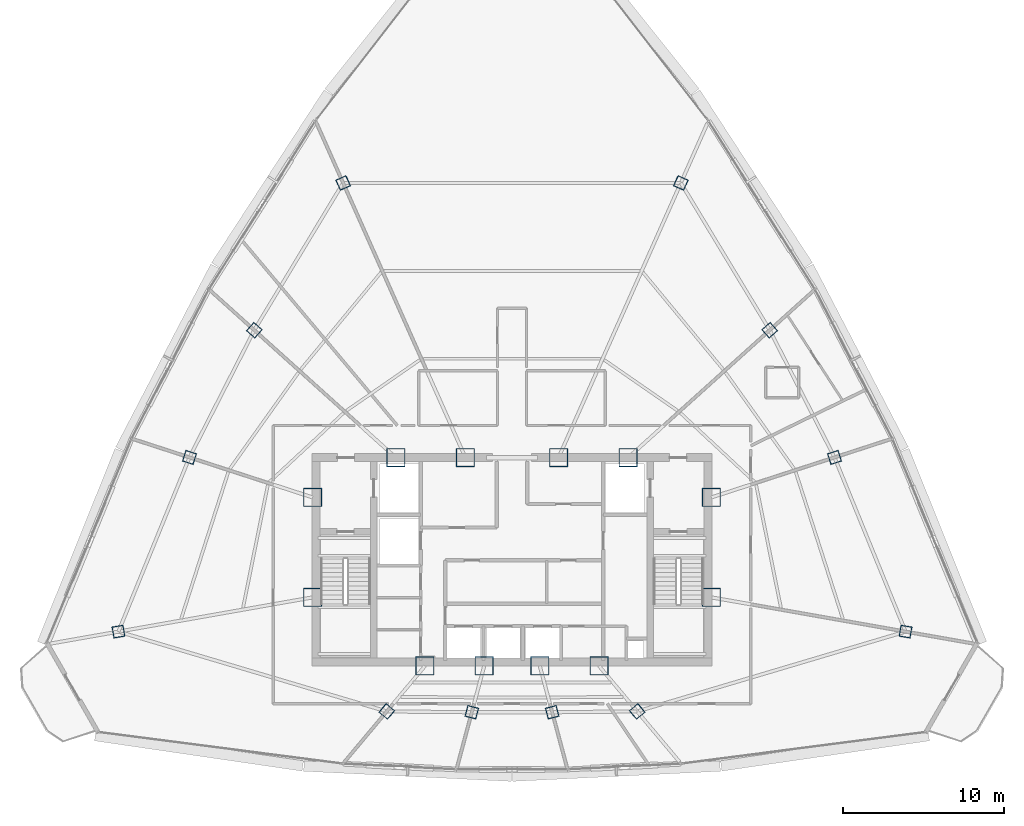
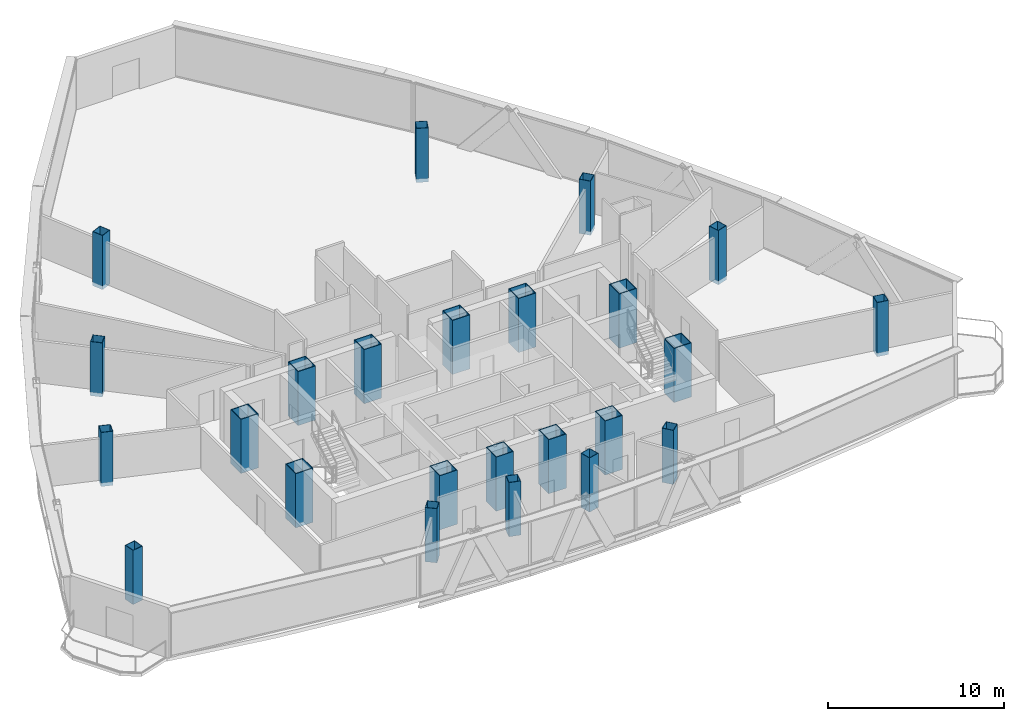
# One storey, part 1 of 33: 24 columns.
"""IFC4 building model written with IfcOpenShell, lengths in metres."""

from ifc_helpers import new_model, si_unit, direction, frame, origin, origin_2d, place, context, subcontext, project, spatial, hollow_rectangle, extrude, source, transform, mapped, material, material_profile, profile_set, type_object, element, save


model = new_model("IFC4")

# Units and contexts
model_context = context("Model", 3, precision=1e-05, world=origin(), true_north=direction((0.0, 1.0)))
body_context = subcontext(model_context, "Body", "Model", "MODEL_VIEW")
ifc_project = project(units=[si_unit("LENGTHUNIT", "METRE"), si_unit("AREAUNIT", "SQUARE_METRE"), si_unit("VOLUMEUNIT", "CUBIC_METRE"), si_unit("PLANEANGLEUNIT", "RADIAN"), si_unit("MASSUNIT", "GRAM", prefix="KILO"), si_unit("THERMODYNAMICTEMPERATUREUNIT", "KELVIN"), si_unit("POWERUNIT", "WATT")], contexts=[model_context])

# Site, building, storey
site_placement = place(None, origin())
site = spatial("IfcSite", under=ifc_project, at=site_placement, CompositionType="ELEMENT")
building_placement = place(site_placement, origin())
building = spatial("IfcBuilding", under=site, at=building_placement, Name="Yunzhuo Pagoda Commons", CompositionType="ELEMENT")
storey_placement = place(building_placement, frame((0.0, 0.0, 325.510009765625)))
storey = spatial("IfcBuildingStorey", under=building, at=storey_placement, Name="L81", CompositionType="ELEMENT", Elevation=325.510009765625)

# Columns
ifc_material_1 = material(Name="Structural steel Q420B", Category="steel")
ifc_material_profile_1 = material_profile(ifc_material_1, hollow_rectangle(XDim=1.14990234375, YDim=1.14990234375, WallThickness=0.048095703125, at=origin_2d()), Name="Structural steel Q420B")
ifc_profile_set_1 = profile_set([ifc_material_profile_1], Name="Structural steel Q420B")
column_type_1 = type_object("IfcColumnType", Name="C-COR Column BOX 1150x1150x48", PredefinedType="COLUMN", material=ifc_profile_set_1)
shared_shape_1 = source(origin(), body_context, "Body", "SweptSolid", [
    extrude(hollow_rectangle(XDim=1.14990234375, YDim=1.14990234375, WallThickness=0.048095703125, at=origin_2d()), origin(), (0.0, 0.0, 1.0), 3.75),
])
for number, where, z_axis, x_axis, name in (
    (1, (42.587890625, 27.25, -0.260009765625), (0.0, 0.0, 1.0), (1.0, 0.0, 0.0), "L81 core composite column F1C1"),
    (2, (46.27197265625, 27.25, -0.260009765625), (0.0, 0.0, 1.0), (1.0, 0.0, 0.0), "L81 core composite column F1C2"),
    (3, (49.728515625, 27.25, -0.260009765625), (0.0, 0.0, 1.0), (1.0, 0.0, 0.0), "L81 core composite column F1C3"),
    (4, (53.412109375, 27.25, -0.260009765625), (0.0, 0.0, 1.0), (1.0, 0.0, 0.0), "L81 core composite column F1C4"),
    (5, (60.39990234375, 31.513427734375, -0.260009765625), (0.0, 0.0, 1.0), (1.0, 0.0, 0.0), "L81 core composite column F2C1"),
    (6, (60.39990234375, 37.72900390625, -0.260009765625), (0.0, 0.0, 1.0), (1.0, 0.0, 0.0), "L81 core composite column F2C2"),
    (7, (55.218994140625, 40.199951171875, -0.260009765625), (0.0, 0.0, 1.0), (1.0, 0.0, 0.0), "L81 core composite column F2C3"),
    (8, (50.89404296875, 40.199951171875, -0.260009765625), (0.0, 0.0, 1.0), (1.0, 0.0, 0.0), "L81 core composite column F2C4"),
    (9, (45.10595703125, 40.199951171875, -0.260009765625), (0.0, 0.0, 1.0), (1.0, 0.0, 0.0), "L81 core composite column F3C1"),
    (10, (40.781005859375, 40.199951171875, -0.260009765625), (0.0, 0.0, 1.0), (1.0, 0.0, 0.0), "L81 core composite column F3C2"),
    (11, (35.60009765625, 37.72900390625, -0.260009765625), (0.0, 0.0, 1.0), (1.0, 0.0, 0.0), "L81 core composite column F3C3"),
    (12, (35.60009765625, 31.513427734375, -0.260009765625), (0.0, 0.0, 1.0), (1.0, 0.0, 0.0), "L81 core composite column F3C4"),
):
    element("IfcColumn", number, at=place(storey_placement, frame(where, z_axis=z_axis, x_axis=x_axis)), inside=storey, type_object=column_type_1, Name=name, PredefinedType="COLUMN", context=body_context, shape_type="MappedRepresentation", body=[
        mapped(shared_shape_1, transform((0.0, 0.0, 0.0), scale=1.0)),
    ])
ifc_material_2 = material(Name="Structural steel Q355B", Category="steel")
ifc_material_profile_2 = material_profile(ifc_material_2, hollow_rectangle(XDim=0.699951171875, YDim=0.699951171875, WallThickness=0.02587890625, at=origin_2d()), Name="Structural steel Q355B")
ifc_profile_set_2 = profile_set([ifc_material_profile_2], Name="Structural steel Q355B")
column_type_2 = type_object("IfcColumnType", Name="C-Z7 Column BOX 700x700x26", PredefinedType="COLUMN", material=ifc_profile_set_2)
shared_shape_2 = source(origin(), body_context, "Body", "SweptSolid", [
    extrude(hollow_rectangle(XDim=0.699951171875, YDim=0.699951171875, WallThickness=0.02587890625, at=origin_2d()), origin(), (0.0, 0.0, 1.0), 3.75),
])
for number, where, z_axis, x_axis, name in (
    (13, (40.214599609375, 24.421630859375, -0.260009765625), (0.0, 0.0, 1.0), (0.766044443119, -0.642787609687, 0.0), "L81 tower column F1C1"),
    (14, (45.500732421875, 24.372802734375, -0.260009765625), (0.0, 0.0, 1.0), (0.965925826289, -0.258819045103, 0.0), "L81 tower column F1C2"),
    (15, (50.499267578125, 24.372802734375, -0.260009765625), (0.0, 0.0, 1.0), (0.965925826289, 0.258819045103, 0.0), "L81 tower column F1C3"),
    (16, (55.785400390625, 24.421630859375, -0.260009765625), (0.0, 0.0, 1.0), (0.766044443119, 0.642787609687, 0.0), "L81 tower column F1C4"),
    (17, (72.47021484375, 29.38525390625, -0.260009765625), (0.0, 0.0, 1.0), (0.173648177667, 0.984807753012, 0.0), "L81 tower column F2C1"),
    (18, (68.053466796875, 40.2158203125, -0.260009765625), (0.0, 0.0, 1.0), (-0.309016994375, 0.951056516295, 0.0), "L81 tower column F2C2"),
    (19, (64.024658203125, 48.128662109375, -0.260009765625), (0.0, 0.0, 1.0), (-0.669130606359, 0.743144825477, 0.0), "L81 tower column F2C3"),
    (20, (58.498779296875, 57.281005859375, -0.260009765625), (0.0, 0.0, 1.0), (-0.913545457643, 0.406736643076, 0.0), "L81 tower column F2C4"),
    (21, (37.501220703125, 57.281005859375, -0.260009765625), (0.0, 0.0, 1.0), (-0.913545457643, -0.406736643076, 0.0), "L81 tower column F3C1"),
    (22, (31.975341796875, 48.128662109375, -0.260009765625), (0.0, 0.0, 1.0), (-0.669130606359, -0.743144825477, 0.0), "L81 tower column F3C2"),
    (23, (27.946533203125, 40.2158203125, -0.260009765625), (0.0, 0.0, 1.0), (-0.309016994375, -0.951056516295, 0.0), "L81 tower column F3C3"),
    (24, (23.52978515625, 29.38525390625, -0.260009765625), (0.0, 0.0, 1.0), (0.173648177667, -0.984807753012, 0.0), "L81 tower column F3C4"),
):
    element("IfcColumn", number, at=place(storey_placement, frame(where, z_axis=z_axis, x_axis=x_axis)), inside=storey, type_object=column_type_2, Name=name, PredefinedType="COLUMN", context=body_context, shape_type="MappedRepresentation", body=[
        mapped(shared_shape_2, transform((0.0, 0.0, 0.0), scale=1.0)),
    ])

save(model, "model.ifc")
